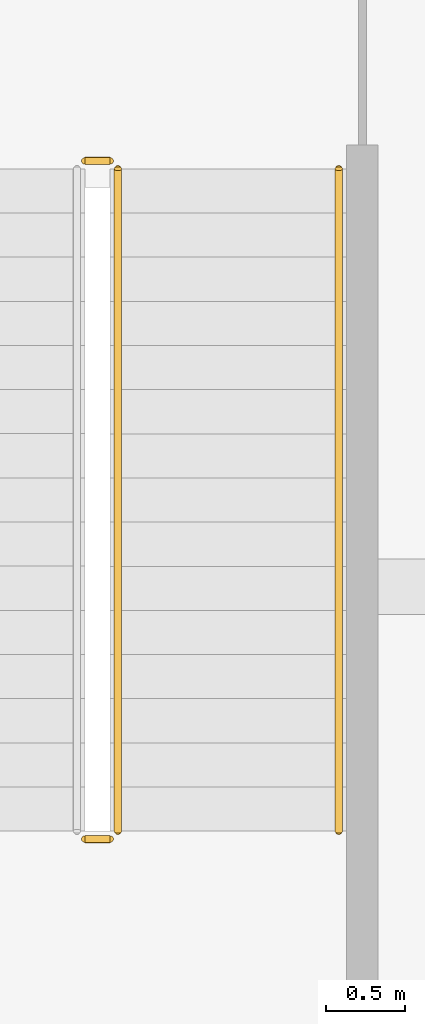
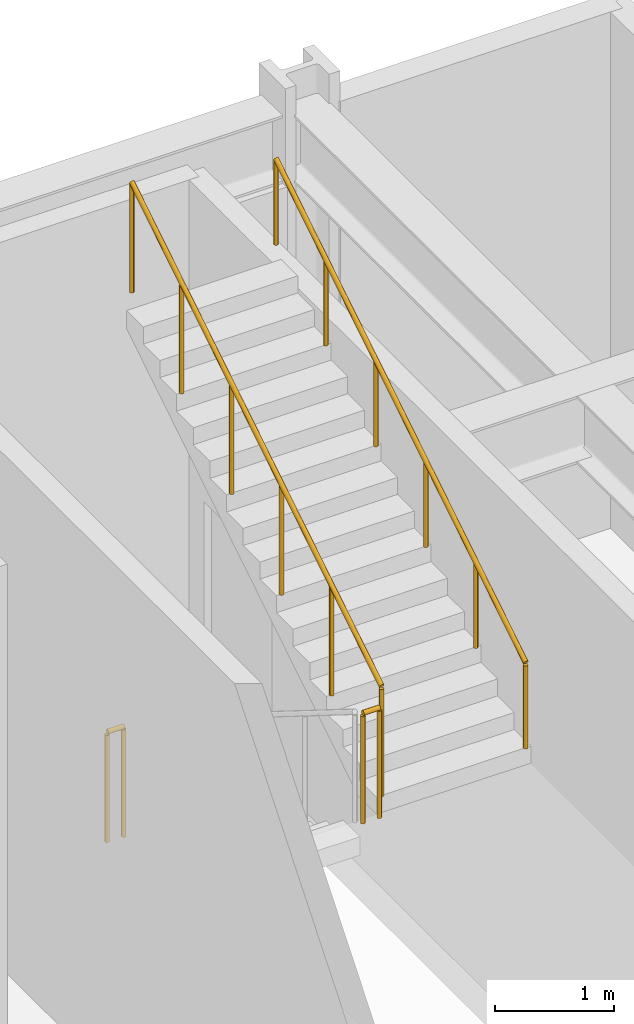
# One storey, part 20 of 21: 4 railings.
"""IFC4 building model written with IfcOpenShell, lengths in metres."""

import ifcopenshell
import ifcopenshell.guid

model = None  # the IFC model being written
_history = None  # IfcOwnerHistory: only IFC2X3 demands one
_inside = {}  # id of a spatial element -> (the spatial element, [elements in it])
_under = {}  # id of a project, library or spatial element -> (it, [spatial elements below it])
_declared = {}  # id of a project -> (the project, [libraries it declares])
_typed = {}  # id of a type object -> (the type object, [elements of that type])
_made_of = {}  # id of a material, layer set ... -> (it, [elements and type objects made of it])


def new_model(schema):
    """Start an empty IFC model of exactly this schema.

    Asked for "IFC4X3", IfcOpenShell would pick the latest addendum, in which some entities
    have other attributes; the version numbers below select the first issue.
    IFC2X3 requires an IfcOwnerHistory on every rooted entity: one is made here for all.
    """
    global model, _history
    if schema == "IFC4X3":
        model = ifcopenshell.file(schema_version=(4, 3, 0, 0))
    else:
        model = ifcopenshell.file(schema=schema)
    _inside.clear()
    _under.clear()
    _declared.clear()
    _typed.clear()
    _made_of.clear()
    _history = None
    if model.schema == "IFC2X3":
        org = make("IfcOrganization", Name="unknown")
        user = make(
            "IfcPersonAndOrganization",
            ThePerson=make("IfcPerson", FamilyName="unknown"),
            TheOrganization=org,
        )
        app = make(
            "IfcApplication",
            ApplicationDeveloper=org,
            Version="unknown",
            ApplicationFullName="unknown",
            ApplicationIdentifier="unknown",
        )
        _history = make(
            "IfcOwnerHistory",
            OwningUser=user,
            OwningApplication=app,
            ChangeAction="ADDED",
            CreationDate=0,
        )
    return model


def make(cls, **values):
    """One entity of the class cls with the attributes given. An attribute that is None is left unset."""
    return model.create_entity(
        cls, **{name: value for name, value in values.items() if value is not None}
    )


def rooted(cls, **values):
    """An entity with a GlobalId (a new one), such as an element, a storey or a relation."""
    return make(cls, GlobalId=ifcopenshell.guid.new(), OwnerHistory=_history, **values)


def si_unit(unit_type, name, prefix=None):
    """IfcSIUnit, for example si_unit("LENGTHUNIT", "METRE", prefix="MILLI")."""
    return make("IfcSIUnit", UnitType=unit_type, Prefix=prefix, Name=name)


def assignment(units):
    """IfcUnitAssignment: the units of a project."""
    return None if units is None else make("IfcUnitAssignment", Units=units)


def point(xyz):
    """IfcCartesianPoint."""
    return None if xyz is None else make("IfcCartesianPoint", Coordinates=xyz)


def direction(xyz):
    """IfcDirection."""
    return None if xyz is None else make("IfcDirection", DirectionRatios=xyz)


def frame(location, z_axis=None, x_axis=None):
    """IfcAxis2Placement3D, a coordinate frame: its origin and axes. An axis left out is left unset."""
    return make(
        "IfcAxis2Placement3D",
        Location=point(location),
        Axis=direction(z_axis),
        RefDirection=direction(x_axis),
    )


def frame_2d(location, x_axis=None):
    """IfcAxis2Placement2D, a coordinate frame in the plane: its origin and x axis."""
    return make(
        "IfcAxis2Placement2D", Location=point(location), RefDirection=direction(x_axis)
    )


def origin():
    """The frame at (0, 0, 0) with its axes left unset."""
    return frame((0.0, 0.0, 0.0))


def origin_2d():
    """The frame at (0, 0) in the plane with its x axis left unset."""
    return frame_2d((0.0, 0.0))


def place(relative_to, where):
    """IfcLocalPlacement: puts the frame where relative to a parent placement (None: the world)."""
    return make(
        "IfcLocalPlacement", PlacementRelTo=relative_to, RelativePlacement=where
    )


def context(
    kind, dimensions, precision=None, world=None, true_north=None, identifier=None
):
    """IfcGeometricRepresentationContext, for example the 3D "Model" context."""
    return make(
        "IfcGeometricRepresentationContext",
        ContextIdentifier=identifier,
        ContextType=kind,
        CoordinateSpaceDimension=dimensions,
        Precision=precision,
        WorldCoordinateSystem=world,
        TrueNorth=true_north,
    )


def subcontext(parent, identifier, kind, view, scale=None):
    """IfcGeometricRepresentationSubContext, for example "Body" below "Model"."""
    return make(
        "IfcGeometricRepresentationSubContext",
        ContextIdentifier=identifier,
        ContextType=kind,
        ParentContext=parent,
        TargetScale=scale,
        TargetView=view,
    )


def project(units=None, contexts=None):
    """IfcProject with its units and contexts."""
    return rooted(
        "IfcProject",
        Name="project",
        RepresentationContexts=contexts,
        UnitsInContext=assignment(units),
    )


def spatial(cls, under=None, at=None, **own):
    """A site, building, storey or space (cls), placed at a placement, below another one or the project."""
    s = rooted(cls, ObjectPlacement=at, **own)
    if under is not None:
        _under.setdefault(under.id(), (under, []))[1].append(s)
    return s


def profile(cls, at=None, kind="AREA", **sizes):
    """A parametric profile (cls). Its sizes go by their IFC names, for example OverallWidth=200.0."""
    return make(cls, ProfileType=kind, Position=at, **sizes)


def circle(**sizes):
    """IfcCircleProfileDef."""
    return profile("IfcCircleProfileDef", **sizes)


def extrude(swept, where, along, depth):
    """IfcExtrudedAreaSolid: the profile swept, set in the frame where, extruded along a direction by depth."""
    return make(
        "IfcExtrudedAreaSolid",
        SweptArea=swept,
        Position=where,
        ExtrudedDirection=direction(along),
        Depth=depth,
    )


def shape(context_of_items, identifier, shape_type, items):
    """IfcShapeRepresentation: the items that make up one representation, for example the "Body"."""
    return make(
        "IfcShapeRepresentation",
        ContextOfItems=context_of_items,
        RepresentationIdentifier=identifier,
        RepresentationType=shape_type,
        Items=items,
    )


def material(Name=None, Category=None):
    """IfcMaterial."""
    return make("IfcMaterial", Name=Name, Category=Category)


def made_of(thing, what):
    """Note that an element or type object is made of a material, layer set ...; save() writes the relation."""
    if what is not None:
        _made_of.setdefault(what.id(), (what, []))[1].append(thing)
    return thing


def type_object(cls, material=None, **own):
    """A type object (cls), such as IfcWallType, which elements share."""
    return made_of(rooted(cls, **own), material)


def element(
    cls,
    number,
    at=None,
    inside=None,
    cuts=None,
    type_object=None,
    material=None,
    context=None,
    identifier="Body",
    shape_type=None,
    held_by="IfcProductDefinitionShape",
    body=None,
    shapes=None,
    **own,
):
    """One element of the class cls, such as IfcWall. Its Tag is "e" and its number.

    at: its placement. inside: the storey or other place that contains it. cuts: it is an
    opening in that element (IfcRelVoidsElement). A single representation is given by context,
    identifier, shape_type and body (its items); several are given by shapes. held_by: the class
    of the entity that holds the representations. save() writes the other relations.
    """
    e = rooted(cls, Tag="e%d" % number, ObjectPlacement=at, **own)
    if body is not None:
        shapes = [shape(context, identifier, shape_type, body)]
    if shapes is not None:
        e.Representation = make(held_by, Representations=shapes)
    if inside is not None:
        _inside.setdefault(inside.id(), (inside, []))[1].append(e)
    if cuts is not None:
        rooted(
            "IfcRelVoidsElement", RelatingBuildingElement=cuts, RelatedOpeningElement=e
        )
    if type_object is not None:
        _typed.setdefault(type_object.id(), (type_object, []))[1].append(e)
    return made_of(e, material)


def aggregate(whole, parts):
    """IfcRelAggregates: a whole, such as a stair, and the parts it consists of."""
    return rooted("IfcRelAggregates", RelatingObject=whole, RelatedObjects=parts)


def save(model, path):
    """Write the relations noted so far, then the file.

    IfcRelAggregates (storeys below a building ...), IfcRelContainedInSpatialStructure (elements
    in a storey), IfcRelDefinesByType, IfcRelAssociatesMaterial and IfcRelDeclares: one each for
    every whole, place, type object, material and project.
    """
    for whole, parts in _under.values():
        aggregate(whole, parts)
    for where, things in _inside.values():
        rooted(
            "IfcRelContainedInSpatialStructure",
            RelatedElements=things,
            RelatingStructure=where,
        )
    for kind, things in _typed.values():
        rooted("IfcRelDefinesByType", RelatedObjects=things, RelatingType=kind)
    for what, things in _made_of.values():
        rooted("IfcRelAssociatesMaterial", RelatedObjects=things, RelatingMaterial=what)
    for by, libraries in _declared.values():
        rooted("IfcRelDeclares", RelatingContext=by, RelatedDefinitions=libraries)
    model.write(path)


model = new_model("IFC4")

# Units and contexts
model_context = context("Model", 3, precision=1e-05, world=origin(), true_north=direction((0.0, 1.0)))
body_context = subcontext(model_context, "Body", "Model", "MODEL_VIEW")
ifc_project = project(units=[si_unit("LENGTHUNIT", "METRE"), si_unit("AREAUNIT", "SQUARE_METRE"), si_unit("VOLUMEUNIT", "CUBIC_METRE"), si_unit("PLANEANGLEUNIT", "RADIAN"), si_unit("MASSUNIT", "GRAM", prefix="KILO")], contexts=[model_context])

# Site, building, storey
site_placement = place(None, origin())
site = spatial("IfcSite", under=ifc_project, at=site_placement, CompositionType="ELEMENT")
building_placement = place(site_placement, origin())
building = spatial("IfcBuilding", under=site, at=building_placement, Name="Drelvath Grand Hotel", CompositionType="ELEMENT")
storey_placement = place(building_placement, origin())
storey = spatial("IfcBuildingStorey", under=building, at=storey_placement, Name="L00", CompositionType="ELEMENT", Elevation=0.0)

# Railings
ifc_material = material(Name="Painted Steel S275", Category="steel")
railing_type_1 = type_object("IfcRailingType", Name="Core Stair Wall Handrail 900", PredefinedType="HANDRAIL", material=ifc_material)
railing_1_placement = place(storey_placement, frame((31.530029296875, 47.64990234375, 2.97509765625)))
element("IfcRailing", 1, at=railing_1_placement, inside=storey, type_object=railing_type_1, Name="L00 ST-4 stair handrail 2", PredefinedType="HANDRAIL", context=body_context, shape_type="SweptSolid", body=[
    extrude(circle(Radius=0.02392578125, at=origin_2d()), frame((0.0, 0.0, 0.8759765625), z_axis=(0.0, 0.848009380541, 0.529981217134), x_axis=(-1.0, 0.0, 0.0)), (0.0, 0.0, 1.0), 4.953125),
    extrude(circle(Radius=0.02099609375, at=origin_2d()), origin(), (0.0, 0.0, 1.0), 0.851806640625),
    extrude(circle(Radius=0.02099609375, at=origin_2d()), frame((0.0, 0.840087890625, 0.52490234375)), (0.0, 0.0, 1.0), 0.851806640625),
    extrude(circle(Radius=0.02099609375, at=origin_2d()), frame((0.0, 1.68017578125, 1.050048828125)), (0.0, 0.0, 1.0), 0.851806640625),
    extrude(circle(Radius=0.02099609375, at=origin_2d()), frame((0.0, 2.52001953125, 1.574951171875)), (0.0, 0.0, 1.0), 0.851806640625),
    extrude(circle(Radius=0.02099609375, at=origin_2d()), frame((0.0, 3.360107421875, 2.10009765625)), (0.0, 0.0, 1.0), 0.851806640625),
    extrude(circle(Radius=0.02099609375, at=origin_2d()), frame((0.0, 4.2001953125, 2.625)), (0.0, 0.0, 1.0), 0.851806640625),
])
railing_type_2 = type_object("IfcRailingType", Name="Core Stair Well Guardrail 1100", PredefinedType="GUARDRAIL", material=ifc_material)
railing_2_placement = place(storey_placement, frame((29.919921875, 47.60009765625, 2.800048828125)))
element("IfcRailing", 2, at=railing_2_placement, inside=storey, type_object=railing_type_2, Name="L00 ST-4 stair guard 2", PredefinedType="GUARDRAIL", context=body_context, shape_type="SweptSolid", body=[
    extrude(circle(Radius=0.02392578125, at=origin_2d()), frame((0.0, 0.0, 1.1259765625), z_axis=(1.0, 0.0, 0.0), x_axis=(0.0, 1.0, 0.0)), (0.0, 0.0, 1.0), 0.16015625),
    extrude(circle(Radius=0.02099609375, at=origin_2d()), origin(), (0.0, 0.0, 1.0), 1.101806640625),
    extrude(circle(Radius=0.02099609375, at=origin_2d()), frame((0.16015625, 0.0, 0.0)), (0.0, 0.0, 1.0), 1.101806640625),
])
railing_3_placement = place(storey_placement, frame((30.1298828125, 47.64990234375, 2.97509765625)))
element("IfcRailing", 3, at=railing_3_placement, inside=storey, type_object=railing_type_2, Name="L00 ST-4 stair guard 3", PredefinedType="GUARDRAIL", context=body_context, shape_type="SweptSolid", body=[
    extrude(circle(Radius=0.02392578125, at=origin_2d()), frame((0.0, 0.0, 1.1259765625), z_axis=(0.0, 0.848009380541, 0.529981217134), x_axis=(-1.0, 0.0, 0.0)), (0.0, 0.0, 1.0), 4.953125),
    extrude(circle(Radius=0.02099609375, at=origin_2d()), origin(), (0.0, 0.0, 1.0), 1.101806640625),
    extrude(circle(Radius=0.02099609375, at=origin_2d()), frame((0.0, 0.840087890625, 0.52490234375)), (0.0, 0.0, 1.0), 1.101806640625),
    extrude(circle(Radius=0.02099609375, at=origin_2d()), frame((0.0, 1.68017578125, 1.050048828125)), (0.0, 0.0, 1.0), 1.101806640625),
    extrude(circle(Radius=0.02099609375, at=origin_2d()), frame((0.0, 2.52001953125, 1.574951171875)), (0.0, 0.0, 1.0), 1.101806640625),
    extrude(circle(Radius=0.02099609375, at=origin_2d()), frame((0.0, 3.360107421875, 2.10009765625)), (0.0, 0.0, 1.0), 1.101806640625),
    extrude(circle(Radius=0.02099609375, at=origin_2d()), frame((0.0, 4.2001953125, 2.625)), (0.0, 0.0, 1.0), 1.101806640625),
])
railing_4_placement = place(storey_placement, frame((29.919921875, 51.89990234375, 0.0)))
element("IfcRailing", 4, at=railing_4_placement, inside=storey, type_object=railing_type_2, Name="L00 ST-4 stair guard 4", PredefinedType="GUARDRAIL", context=body_context, shape_type="SweptSolid", body=[
    extrude(circle(Radius=0.02392578125, at=origin_2d()), frame((0.0, 0.0, 1.1259765625), z_axis=(1.0, 0.0, 0.0), x_axis=(0.0, 1.0, 0.0)), (0.0, 0.0, 1.0), 0.16015625),
    extrude(circle(Radius=0.02099609375, at=origin_2d()), origin(), (0.0, 0.0, 1.0), 1.101806640625),
    extrude(circle(Radius=0.02099609375, at=origin_2d()), frame((0.16015625, 0.0, 0.0)), (0.0, 0.0, 1.0), 1.101806640625),
])

save(model, "model.ifc")
